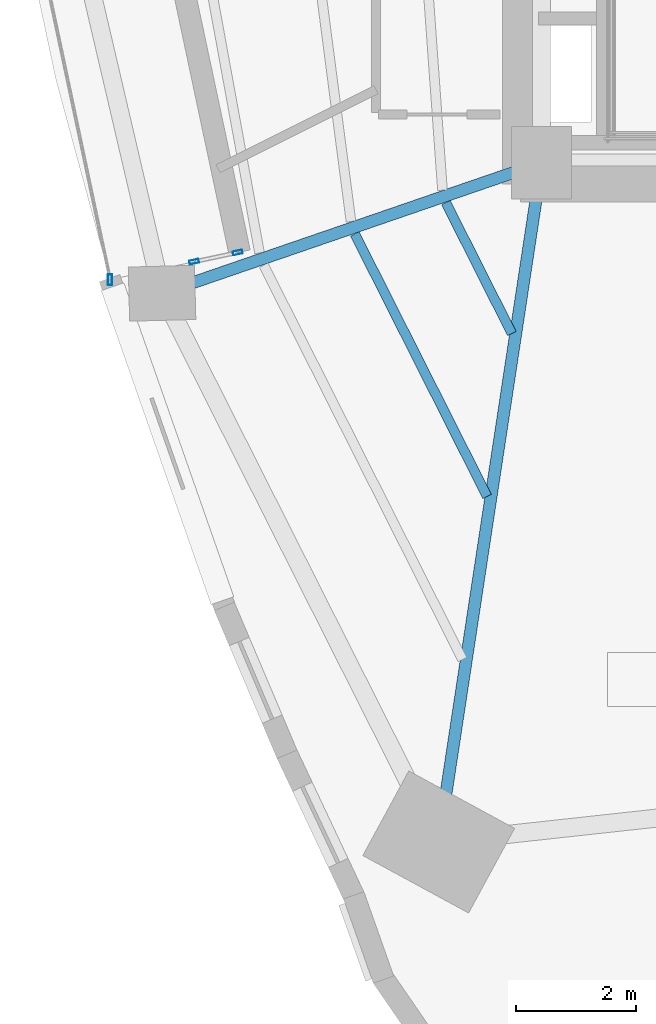
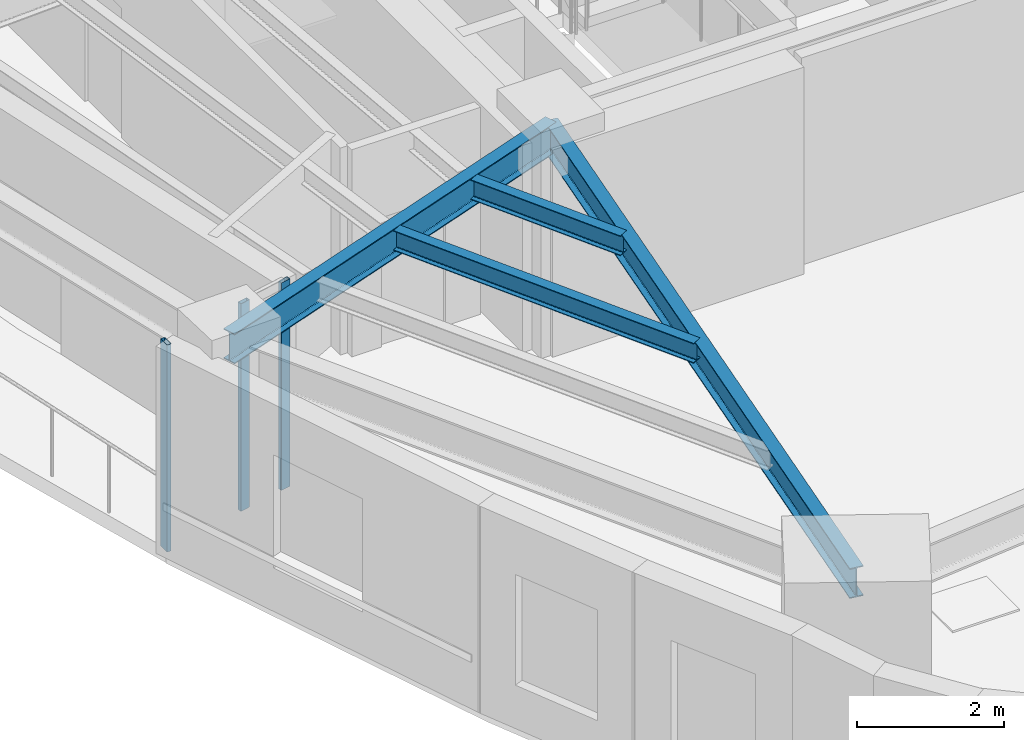
# One storey, part 2 of 12: 4 beams, 3 members, 1 element without a shape of its own.
"""IFC4 building model written with IfcOpenShell, lengths in metres."""

from ifc_helpers import new_model, si_unit, direction, frame, origin, origin_2d, place, context, subcontext, project, spatial, hollow_rectangle, i_section, extrude, material, layer, layer_set, material_profile, profile_set, type_object, element, aggregate, save


model = new_model("IFC4")

# Units and contexts
model_context = context("Model", 3, precision=1e-05, world=origin(), true_north=direction((0.0, 1.0)))
body_context = subcontext(model_context, "Body", "Model", "MODEL_VIEW")
ifc_project = project(units=[si_unit("LENGTHUNIT", "METRE"), si_unit("AREAUNIT", "SQUARE_METRE"), si_unit("VOLUMEUNIT", "CUBIC_METRE"), si_unit("PLANEANGLEUNIT", "RADIAN"), si_unit("MASSUNIT", "GRAM", prefix="KILO")], contexts=[model_context])

# Site, building, storey
site_placement = place(None, origin())
site = spatial("IfcSite", under=ifc_project, at=site_placement, CompositionType="ELEMENT")
building_placement = place(site_placement, origin())
building = spatial("IfcBuilding", under=site, at=building_placement, Name="Ndelora Gate Hotel", CompositionType="ELEMENT")
storey_placement = place(building_placement, frame((0.0, 0.0, 164.75)))
storey = spatial("IfcBuildingStorey", under=building, at=storey_placement, Name="L41", CompositionType="ELEMENT", Elevation=164.75)

# Beams
ifc_material_1 = material(Name="Steel S355", Category="steel")
ifc_material_profile_1 = material_profile(ifc_material_1, i_section(OverallWidth=0.159912109375, OverallDepth=0.330078125, WebThickness=0.007568359375, FlangeThickness=0.011474609375, FilletRadius=0.01806640625, at=origin_2d()), Name="IPE 330")
ifc_profile_set_1 = profile_set([ifc_material_profile_1], Name="Steel S355")
beam_type_1 = type_object("IfcBeamType", Name="BM-JST-330", PredefinedType="JOIST", material=ifc_profile_set_1)
beam_1_placement = place(storey_placement, frame((-9.59033203125, -7.26171875, 3.27490234375), z_axis=(0.450139260243, -0.892958367668, 0.0), x_axis=(0.892958367668, 0.450139260243, 0.0)))
element("IfcBeam", 1, at=beam_1_placement, inside=storey, type_object=beam_type_1, Name="L41 Secondary Composite Floor Joist IN-4", PredefinedType="JOIST", context=body_context, shape_type="SweptSolid", body=[
    extrude(i_section(OverallWidth=0.159912109375, OverallDepth=0.330078125, WebThickness=0.007568359375, FlangeThickness=0.011474609375, FilletRadius=0.01806640625, at=origin_2d()), origin(), (0.0, 0.0, 1.0), 2.4345703125),
])
beam_2_placement = place(storey_placement, frame((-11.10400390625, -7.781982421875, 3.27490234375), z_axis=(0.450189724408, -0.892932926953, 0.0), x_axis=(0.892932926953, 0.450189724408, 0.0)))
element("IfcBeam", 2, at=beam_2_placement, inside=storey, type_object=beam_type_1, Name="L41 Secondary Composite Floor Joist MID-4", PredefinedType="JOIST", context=body_context, shape_type="SweptSolid", body=[
    extrude(i_section(OverallWidth=0.159912109375, OverallDepth=0.330078125, WebThickness=0.007568359375, FlangeThickness=0.011474609375, FilletRadius=0.01806640625, at=origin_2d()), origin(), (0.0, 0.0, 1.0), 4.885009765625),
])
ifc_material_profile_2 = material_profile(ifc_material_1, i_section(OverallWidth=0.199951171875, OverallDepth=0.5, WebThickness=0.01025390625, FlangeThickness=0.01611328125, FilletRadius=0.02099609375, at=origin_2d()), Name="IPE 500")
ifc_profile_set_2 = profile_set([ifc_material_profile_2], Name="Steel S355")
beam_type_2 = type_object("IfcBeamType", Name="BM-RAD-500", PredefinedType="BEAM", material=ifc_profile_set_2)
beam_3_placement = place(storey_placement, frame((-8.0, -6.60009765625, 3.18994140625), z_axis=(-0.945717893913, -0.324988715392, 0.0), x_axis=(0.324988715392, -0.945717893913, 0.0)))
element("IfcBeam", 3, at=beam_3_placement, inside=storey, type_object=beam_type_2, Name="L41 Radial Floor Girder 4", PredefinedType="BEAM", context=body_context, shape_type="SweptSolid", body=[
    extrude(i_section(OverallWidth=0.199951171875, OverallDepth=0.5, WebThickness=0.01025390625, FlangeThickness=0.01611328125, FilletRadius=0.02099609375, at=origin_2d()), origin(), (0.0, 0.0, 1.0), 6.66943359375),
])
beam_4_placement = place(storey_placement, frame((-8.0, -6.60009765625, 3.18994140625), z_axis=(-0.149864309615, -0.988706573612, 0.0), x_axis=(0.988706573612, -0.149864309615, 0.0)))
element("IfcBeam", 4, at=beam_4_placement, inside=storey, type_object=beam_type_2, Name="L41 Radial Floor Girder 5", PredefinedType="BEAM", context=body_context, shape_type="SweptSolid", body=[
    extrude(i_section(OverallWidth=0.199951171875, OverallDepth=0.5, WebThickness=0.01025390625, FlangeThickness=0.01611328125, FilletRadius=0.02099609375, at=origin_2d()), origin(), (0.0, 0.0, 1.0), 11.413330078125),
])

# Curtain wall, members
ifc_material_2 = material(Name="Bronze Anodised Unitised Aluminium and Low-E Glass", Category="aluminium")
ifc_layer = layer(ifc_material_2, 0.199951171875)
ifc_layer_set = layer_set([ifc_layer], Name="Bronze Anodised Unitised Aluminium and Low-E Glass")
curtain_wall_type = type_object("IfcCurtainWallType", Name="CW-SYS-3", PredefinedType="NOTDEFINED", material=ifc_layer_set)
curtain_wall_placement = place(storey_placement, origin())
curtain_wall = element("IfcCurtainWall", 5, at=curtain_wall_placement, inside=storey, type_object=curtain_wall_type, Name="L41 Sky-Garden Loggia Side Curtain Wall CW3-2", PredefinedType="NOTDEFINED")
ifc_material_3 = material(Name="Bronze Anodised Aluminium 6063-T6", Category="aluminium")
ifc_material_profile_3 = material_profile(ifc_material_3, hollow_rectangle(XDim=0.06494140625, YDim=0.159912109375, WallThickness=0.00390625, InnerFilletRadius=0.00390625, OuterFilletRadius=0.008056640625, at=origin_2d()), Name="ALU 160x65x4")
ifc_profile_set_3 = profile_set([ifc_material_profile_3], Name="Bronze Anodised Aluminium 6063-T6")
member_type_1 = type_object("IfcMemberType", Name="MB-CW-MUL150", PredefinedType="MULLION", material=ifc_profile_set_3)
member_1_placement = place(storey_placement, frame((-13.77490234375, -8.244140625, -0.00390625), z_axis=(0.0, 0.0, 1.0), x_axis=(-0.207907803136, 0.978148427078, 0.0)))
member_1 = element("IfcMember", 6, at=member_1_placement, type_object=member_type_1, Name="CW3 mullion 1", PredefinedType="MULLION", context=body_context, shape_type="SweptSolid", body=[
    extrude(hollow_rectangle(XDim=0.06494140625, YDim=0.159912109375, WallThickness=0.00390625, InnerFilletRadius=0.00390625, OuterFilletRadius=0.008056640625, at=origin_2d()), origin(), (0.0, 0.0, 1.0), 3.447998046875),
])
member_2_placement = place(storey_placement, frame((-13.05126953125, -8.09033203125, -0.00390625), z_axis=(0.0, 0.0, 1.0), x_axis=(-0.207907803136, 0.978148427078, 0.0)))
member_2 = element("IfcMember", 7, at=member_2_placement, type_object=member_type_1, Name="CW3 mullion 2", PredefinedType="MULLION", context=body_context, shape_type="SweptSolid", body=[
    extrude(hollow_rectangle(XDim=0.06494140625, YDim=0.159912109375, WallThickness=0.00390625, InnerFilletRadius=0.00390625, OuterFilletRadius=0.008056640625, at=origin_2d()), origin(), (0.0, 0.0, 1.0), 3.447998046875),
])
ifc_material_profile_4 = material_profile(ifc_material_3, hollow_rectangle(XDim=0.070068359375, YDim=0.179931640625, WallThickness=0.0048828125, InnerFilletRadius=0.0048828125, OuterFilletRadius=0.010009765625, at=origin_2d()), Name="ALU 180x70x5")
ifc_profile_set_4 = profile_set([ifc_material_profile_4], Name="Bronze Anodised Aluminium 6063-T6")
member_type_2 = type_object("IfcMemberType", Name="MB-CW-MUL180", PredefinedType="MULLION", material=ifc_profile_set_4)
member_3_placement = place(storey_placement, frame((-15.17138671875, -8.541015625, 0.0), z_axis=(0.0, 0.0, 1.0), x_axis=(1.0, 0.0, 0.0)))
member_3 = element("IfcMember", 8, at=member_3_placement, type_object=member_type_2, Name="L41 Sky-Garden Loggia Corner Mullion Post 2", PredefinedType="MULLION", context=body_context, shape_type="SweptSolid", body=[
    extrude(hollow_rectangle(XDim=0.070068359375, YDim=0.179931640625, WallThickness=0.0048828125, InnerFilletRadius=0.0048828125, OuterFilletRadius=0.010009765625, at=origin_2d()), origin(), (0.0, 0.0, 1.0), 3.43994140625),
])
aggregate(curtain_wall, [member_1, member_2, member_3])

save(model, "model.ifc")
